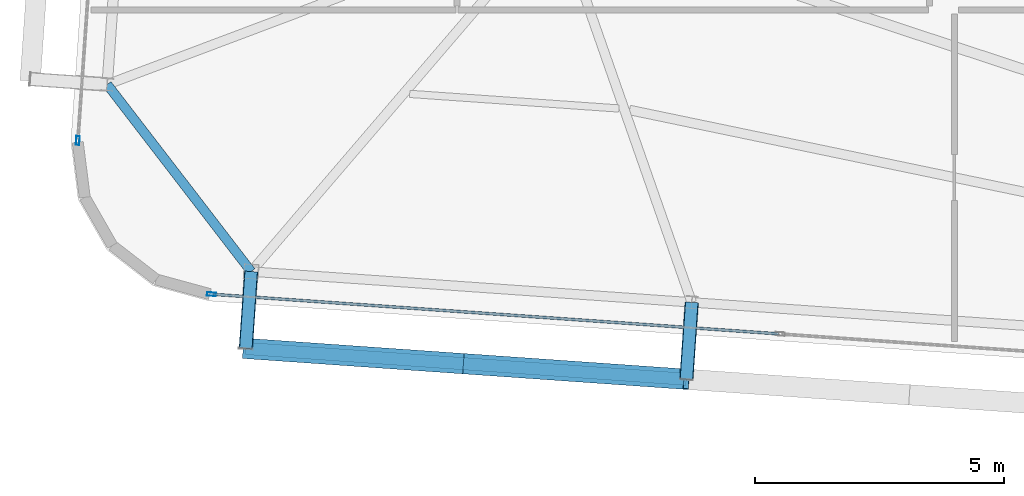
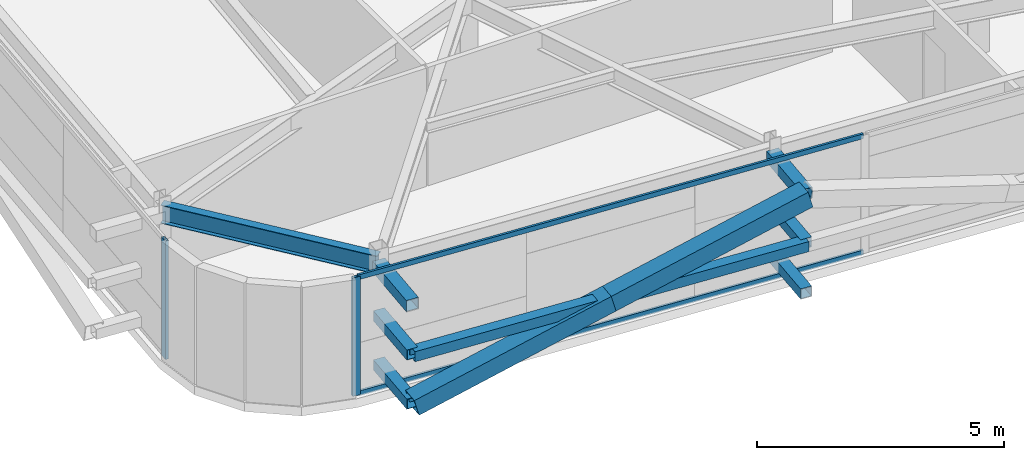
# One storey, part 6 of 39: 13 members, 1 beam, 2 elements without a shape of their own.
"""IFC4 building model written with IfcOpenShell, lengths in metres."""

from ifc_helpers import new_model, si_unit, direction, frame, origin, origin_2d, place, context, subcontext, project, spatial, hollow_rectangle, i_section, extrude, source, transform, mapped, material, layer, layer_set, material_profile, profile_set, type_object, element, aggregate, save


model = new_model("IFC4")

# Units and contexts
model_context = context("Model", 3, precision=1e-05, world=origin(), true_north=direction((0.0, 1.0)))
body_context = subcontext(model_context, "Body", "Model", "MODEL_VIEW")
ifc_project = project(units=[si_unit("LENGTHUNIT", "METRE"), si_unit("AREAUNIT", "SQUARE_METRE"), si_unit("VOLUMEUNIT", "CUBIC_METRE"), si_unit("PLANEANGLEUNIT", "RADIAN"), si_unit("MASSUNIT", "GRAM", prefix="KILO")], contexts=[model_context])

# Site, building, storey
site_placement = place(None, origin())
site = spatial("IfcSite", under=ifc_project, at=site_placement, CompositionType="ELEMENT")
building_placement = place(site_placement, origin())
building = spatial("IfcBuilding", under=site, at=building_placement, Name="Taldren Reach Tower", CompositionType="ELEMENT")
storey_placement = place(building_placement, frame((0.0, 0.0, 126.699951171875)))
storey = spatial("IfcBuildingStorey", under=building, at=storey_placement, Name="L38", CompositionType="ELEMENT", Elevation=126.699951171875)

# Members
ifc_material_1 = material(Name="Steel Gr 450 (C450L0)", Category="steel")
ifc_material_profile_1 = material_profile(ifc_material_1, hollow_rectangle(XDim=0.27490234375, YDim=0.27490234375, WallThickness=0.00927734375, at=origin_2d()), Name="275x275x9.3SHS")
ifc_profile_set_1 = profile_set([ifc_material_profile_1], Name="Steel Gr 450 (C450L0)")
member_type_1 = type_object("IfcMemberType", Name="MB-TIE273", PredefinedType="STRUT", material=ifc_profile_set_1)
shared_shape_1 = source(origin(), body_context, "Body", "SweptSolid", [
    extrude(hollow_rectangle(XDim=0.27490234375, YDim=0.27490234375, WallThickness=0.00927734375, at=origin_2d()), origin(), (0.0, 0.0, 1.0), 1.5498046875),
])
for number, where, z_axis, x_axis, name in (
    (1, (11.863525390625, 5.33837890625, 2.650146484375), (-0.069780535098, -0.997562367434, 0.0), (0.997562367434, -0.069780535098, 0.0), "Exoskeleton diaphragm tie strut B3-S1 L38"),
    (2, (20.721923828125, 4.718994140625, 2.650146484375), (-0.069780535098, -0.997562367434, 0.0), (0.997562367434, -0.069780535098, 0.0), "Exoskeleton diaphragm tie strut B3-S2 L38"),
):
    element("IfcMember", number, at=place(storey_placement, frame(where, z_axis=z_axis, x_axis=x_axis)), inside=storey, type_object=member_type_1, Name=name, PredefinedType="STRUT", context=body_context, shape_type="MappedRepresentation", body=[
        mapped(shared_shape_1, transform((0.0, 0.0, 0.0), scale=1.0)),
    ])
ifc_material_2 = material(Name="Steel Gr 350 (C350L0)", Category="steel")
ifc_material_profile_2 = material_profile(ifc_material_2, hollow_rectangle(XDim=0.25, YDim=0.25, WallThickness=0.010009765625, at=origin_2d()), Name="250x250x10.0SHS")
ifc_profile_set_2 = profile_set([ifc_material_profile_2], Name="Steel Gr 350 (C350L0)")
member_type_2 = type_object("IfcMemberType", Name="MB-POST250", PredefinedType="POST", material=ifc_profile_set_2)
shared_shape_2 = source(origin(), body_context, "Body", "SweptSolid", [
    extrude(hollow_rectangle(XDim=0.25, YDim=0.25, WallThickness=0.010009765625, at=origin_2d()), origin(), (0.0, 0.0, 1.0), 1.5498046875),
])
for number, where, z_axis, x_axis, name in (
    (3, (11.863525390625, 5.33837890625, 0.219970703125), (-0.069780535098, -0.997562367434, 0.0), (0.997562367434, -0.069780535098, 0.0), "Exoskeleton base diaphragm tie strut B3-S1 L38"),
    (4, (20.721923828125, 4.718994140625, 0.219970703125), (-0.069780535098, -0.997562367434, 0.0), (0.997562367434, -0.069780535098, 0.0), "Exoskeleton base diaphragm tie strut B3-S2 L38"),
    (5, (11.863525390625, 5.33837890625, 1.43505859375), (-0.069780535098, -0.997562367434, 0.0), (0.997562367434, -0.069780535098, 0.0), "Exoskeleton mid-tier diaphragm tie B3-S1 L38"),
    (6, (20.721923828125, 4.718994140625, 1.43505859375), (-0.069780535098, -0.997562367434, 0.0), (0.997562367434, -0.069780535098, 0.0), "Exoskeleton mid-tier diaphragm tie B3-S2 L38"),
):
    element("IfcMember", number, at=place(storey_placement, frame(where, z_axis=z_axis, x_axis=x_axis)), inside=storey, type_object=member_type_2, Name=name, PredefinedType="POST", context=body_context, shape_type="MappedRepresentation", body=[
        mapped(shared_shape_2, transform((0.0, 0.0, 0.0), scale=1.0)),
    ])

# Beam
ifc_material_3 = material(Name="Steel Gr 350 (350PLUS)", Category="steel")
ifc_material_profile_3 = material_profile(ifc_material_3, i_section(OverallWidth=0.18994140625, OverallDepth=0.4541015625, WebThickness=0.008544921875, FlangeThickness=0.0126953125, at=origin_2d()), Name="460UB67.1")
ifc_profile_set_3 = profile_set([ifc_material_profile_3], Name="Steel Gr 350 (350PLUS)")
beam_type = type_object("IfcBeamType", Name="SP-UB460B", PredefinedType="SPANDREL", material=ifc_profile_set_3)
shared_shape_3 = source(origin(), body_context, "Body", "SweptSolid", [
    extrude(i_section(OverallWidth=0.18994140625, OverallDepth=0.4541015625, WebThickness=0.008544921875, FlangeThickness=0.0126953125, at=origin_2d()), origin(), (0.0, 0.0, 1.0), 4.746337890625),
])
beam_placement = place(storey_placement, frame((8.96875, 9.099609375, 2.703125), z_axis=(0.609912099004, -0.792469072891, 0.0), x_axis=(0.792469072891, 0.609912099004, 0.0)))
element("IfcBeam", 7, at=beam_placement, inside=storey, type_object=beam_type, Name="Perimeter spandrel B3 W1-S1 L38", PredefinedType="SPANDREL", context=body_context, shape_type="MappedRepresentation", body=[
    mapped(shared_shape_3, transform((0.0, 0.0, 0.0), scale=1.0)),
])

# Members
shared_shape_4 = source(origin(), body_context, "Body", "SweptSolid", [
    extrude(hollow_rectangle(XDim=0.25, YDim=0.25, WallThickness=0.010009765625, at=origin_2d()), origin(), (0.0, 0.0, 1.0), 8.880126953125),
])
member_1_placement = place(storey_placement, frame((11.75537109375, 3.792236328125, 1.43505859375), z_axis=(0.997564479639, -0.069750333063, 0.0), x_axis=(0.069750333063, 0.997564479639, 0.0)))
element("IfcMember", 8, at=member_1_placement, inside=storey, type_object=member_type_2, Name="Exoskeleton mid-height ring chord B3-S1 L38", PredefinedType="POST", context=body_context, shape_type="MappedRepresentation", body=[
    mapped(shared_shape_4, transform((0.0, 0.0, 0.0), scale=1.0)),
])
ifc_material_profile_4 = material_profile(ifc_material_1, hollow_rectangle(XDim=0.409912109375, YDim=0.409912109375, WallThickness=0.01611328125, at=origin_2d()), Name="410x410x16.0SHS")
ifc_profile_set_4 = profile_set([ifc_material_profile_4], Name="Steel Gr 450 (C450L0)")
member_type_3 = type_object("IfcMemberType", Name="MB-EXO406", PredefinedType="BRACE", material=ifc_profile_set_4)
shared_shape_5 = source(origin(), body_context, "Body", "SweptSolid", [
    extrude(hollow_rectangle(XDim=0.409912109375, YDim=0.409912109375, WallThickness=0.01611328125, at=origin_2d()), origin(), (0.0, 0.0, 1.0), 4.603271484375),
])
for number, where, z_axis, x_axis, name in (
    (9, (11.75537109375, 3.792236328125, 0.219970703125), (0.962182351074, -0.067302910567, 0.263961060594), (0.06977769246, 0.997562566276, 0.0), "Exoskeleton Diagrid Brace B3-S1 L38"),
    (10, (16.1845703125, 3.482421875, 1.43505859375), (0.962185784239, -0.067250114343, 0.263962002434), (0.069722973508, 0.997566392259, 0.0), "Exoskeleton Diagrid Brace B3-S1 L38"),
):
    element("IfcMember", number, at=place(storey_placement, frame(where, z_axis=z_axis, x_axis=x_axis)), inside=storey, type_object=member_type_3, Name=name, PredefinedType="BRACE", context=body_context, shape_type="MappedRepresentation", body=[
        mapped(shared_shape_5, transform((0.0, 0.0, 0.0), scale=1.0)),
    ])

# Curtain wall, members
ifc_material_4 = material(Name="Aluminium and Low-E Glass Unitised System", Category="aluminium")
ifc_layer = layer(ifc_material_4, 0.159912109375)
ifc_layer_set = layer_set([ifc_layer], Name="Aluminium and Low-E Glass Unitised System")
curtain_wall_type = type_object("IfcCurtainWallType", Name="CW-SYS-4", PredefinedType="NOTDEFINED", material=ifc_layer_set)
curtain_wall_1_placement = place(storey_placement, origin())
curtain_wall_1 = element("IfcCurtainWall", 11, at=curtain_wall_1_placement, inside=storey, type_object=curtain_wall_type, Name="Unitised curtain wall CW-L38-S", PredefinedType="NOTDEFINED")
ifc_material_5 = material(Name="Anodised Aluminium 6063-T6", Category="aluminium")
ifc_material_profile_5 = material_profile(ifc_material_5, hollow_rectangle(XDim=0.054931640625, YDim=0.1201171875, WallThickness=0.0029296875, at=origin_2d()), Name="ALU-120x55x3RHS")
ifc_profile_set_5 = profile_set([ifc_material_profile_5], Name="Anodised Aluminium 6063-T6")
member_type_4 = type_object("IfcMemberType", Name="CW-TRN-135", PredefinedType="USERDEFINED", material=ifc_profile_set_5)
shared_shape_6 = source(origin(), body_context, "Body", "SweptSolid", [
    extrude(hollow_rectangle(XDim=0.054931640625, YDim=0.1201171875, WallThickness=0.0029296875, at=origin_2d()), origin(), (0.0, 0.0, 1.0), 11.39501953125),
])
member_2_placement = place(storey_placement, frame((11.099853515625, 4.880615234375, 0.027587890625), z_axis=(0.997563740682, -0.069760900766, 0.0), x_axis=(0.069760900766, 0.997563740682, 0.0)))
member_2 = element("IfcMember", 12, at=member_2_placement, type_object=member_type_4, Name="CW-4 transom 1.1", ObjectType="TRANSOM", PredefinedType="USERDEFINED", context=body_context, shape_type="MappedRepresentation", body=[
    mapped(shared_shape_6, transform((0.0, 0.0, 0.0), scale=1.0)),
])
member_3_placement = place(storey_placement, frame((11.099853515625, 4.880615234375, 2.902587890625), z_axis=(0.997563740682, -0.069760900766, 0.0), x_axis=(0.069760900766, 0.997563740682, 0.0)))
member_3 = element("IfcMember", 13, at=member_3_placement, type_object=member_type_4, Name="CW-4 transom 1.2", ObjectType="TRANSOM", PredefinedType="USERDEFINED", context=body_context, shape_type="MappedRepresentation", body=[
    mapped(shared_shape_6, transform((0.0, 0.0, 0.0), scale=1.0)),
])
ifc_material_profile_6 = material_profile(ifc_material_5, hollow_rectangle(XDim=0.070068359375, YDim=0.179931640625, WallThickness=0.00390625, at=origin_2d()), Name="ALU-180x70x4RHS")
ifc_profile_set_6 = profile_set([ifc_material_profile_6], Name="Anodised Aluminium 6063-T6")
member_type_5 = type_object("IfcMemberType", Name="CW-MUL-180", PredefinedType="MULLION", material=ifc_profile_set_6)
shared_shape_7 = source(origin(), body_context, "Body", "SweptSolid", [
    extrude(hollow_rectangle(XDim=0.070068359375, YDim=0.179931640625, WallThickness=0.00390625, at=origin_2d()), origin(), (0.0, 0.0, 1.0), 2.929931640625),
])
member_4_placement = place(storey_placement, frame((11.06494140625, 4.883056640625, 0.0), z_axis=(0.0, 0.0, 1.0), x_axis=(0.06975651593, 0.99756404731, 0.0)))
member_4 = element("IfcMember", 14, at=member_4_placement, type_object=member_type_5, Name="CW-4 mullion 1", PredefinedType="MULLION", context=body_context, shape_type="MappedRepresentation", body=[
    mapped(shared_shape_7, transform((0.0, 0.0, 0.0), scale=1.0)),
])
aggregate(curtain_wall_1, [member_4, member_2, member_3])

# Curtain wall, member
curtain_wall_2_placement = place(storey_placement, origin())
curtain_wall_2 = element("IfcCurtainWall", 15, at=curtain_wall_2_placement, inside=storey, type_object=curtain_wall_type, Name="Unitised curtain wall CW-L38-W", PredefinedType="NOTDEFINED")
member_5_placement = place(storey_placement, frame((8.37890625, 7.972900390625, 0.0), z_axis=(0.0, 0.0, 1.0), x_axis=(0.997564052812, -0.069756437251, 0.0)))
member_5 = element("IfcMember", 16, at=member_5_placement, type_object=member_type_5, Name="CW-4 mullion 3", PredefinedType="MULLION", context=body_context, shape_type="MappedRepresentation", body=[
    mapped(shared_shape_7, transform((0.0, 0.0, 0.0), scale=1.0)),
])
aggregate(curtain_wall_2, [member_5])

save(model, "model.ifc")
